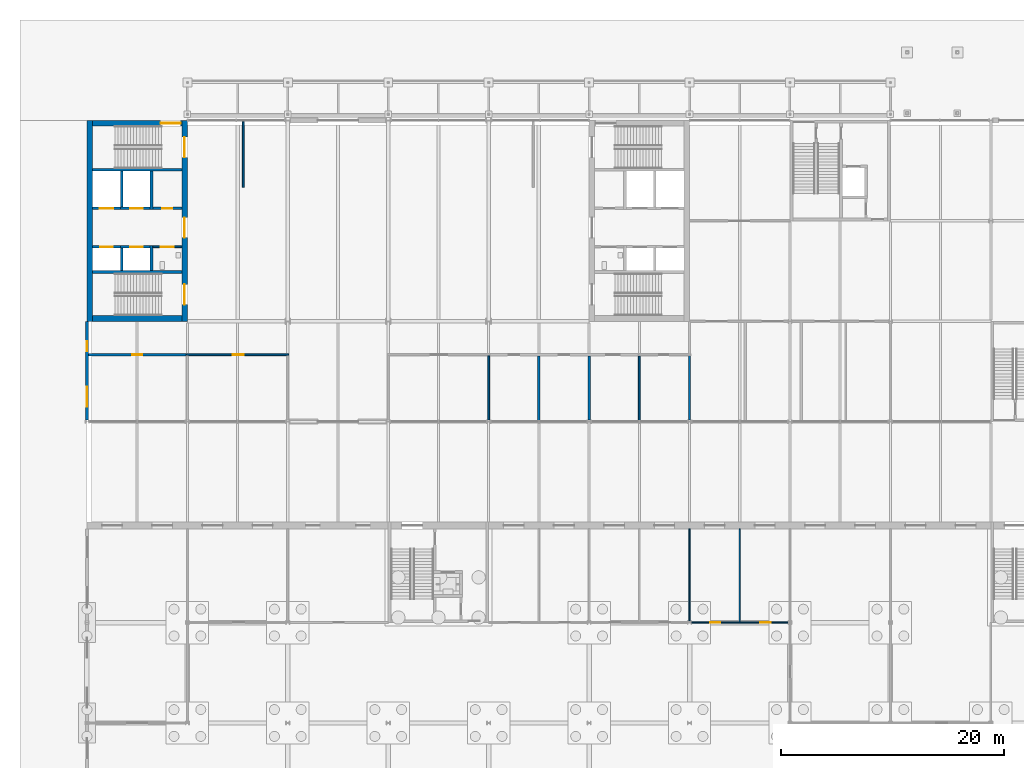
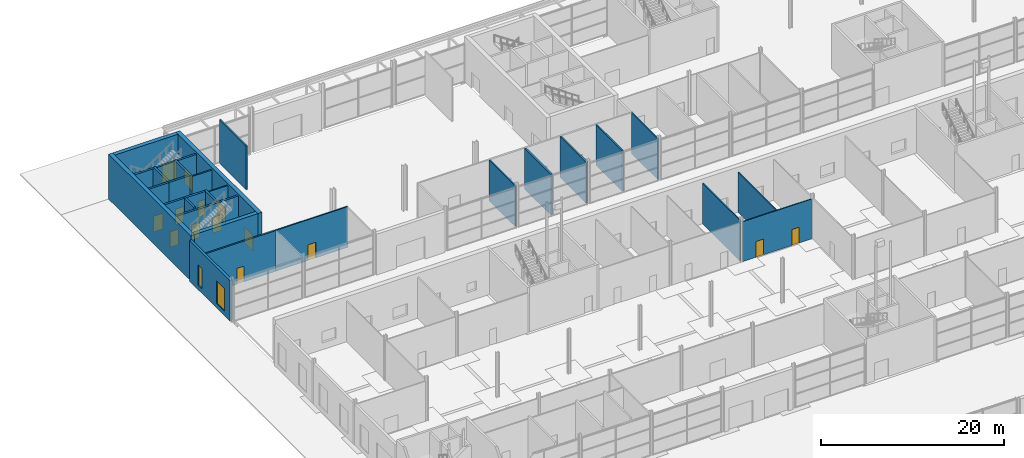
# One storey, part 67 of 97: 28 walls, 14 doors, 2 windows, 16 openings.
"""IFC4 building model written with IfcOpenShell, lengths in metres."""

import ifcopenshell
import ifcopenshell.guid

model = None  # the IFC model being written
_history = None  # IfcOwnerHistory: only IFC2X3 demands one
_inside = {}  # id of a spatial element -> (the spatial element, [elements in it])
_under = {}  # id of a project, library or spatial element -> (it, [spatial elements below it])
_declared = {}  # id of a project -> (the project, [libraries it declares])
_typed = {}  # id of a type object -> (the type object, [elements of that type])
_made_of = {}  # id of a material, layer set ... -> (it, [elements and type objects made of it])


def new_model(schema):
    """Start an empty IFC model of exactly this schema.

    Asked for "IFC4X3", IfcOpenShell would pick the latest addendum, in which some entities
    have other attributes; the version numbers below select the first issue.
    IFC2X3 requires an IfcOwnerHistory on every rooted entity: one is made here for all.
    """
    global model, _history
    if schema == "IFC4X3":
        model = ifcopenshell.file(schema_version=(4, 3, 0, 0))
    else:
        model = ifcopenshell.file(schema=schema)
    _inside.clear()
    _under.clear()
    _declared.clear()
    _typed.clear()
    _made_of.clear()
    _history = None
    if model.schema == "IFC2X3":
        org = make("IfcOrganization", Name="unknown")
        user = make(
            "IfcPersonAndOrganization",
            ThePerson=make("IfcPerson", FamilyName="unknown"),
            TheOrganization=org,
        )
        app = make(
            "IfcApplication",
            ApplicationDeveloper=org,
            Version="unknown",
            ApplicationFullName="unknown",
            ApplicationIdentifier="unknown",
        )
        _history = make(
            "IfcOwnerHistory",
            OwningUser=user,
            OwningApplication=app,
            ChangeAction="ADDED",
            CreationDate=0,
        )
    return model


def make(cls, **values):
    """One entity of the class cls with the attributes given. An attribute that is None is left unset."""
    return model.create_entity(
        cls, **{name: value for name, value in values.items() if value is not None}
    )


def rooted(cls, **values):
    """An entity with a GlobalId (a new one), such as an element, a storey or a relation."""
    return make(cls, GlobalId=ifcopenshell.guid.new(), OwnerHistory=_history, **values)


def si_unit(unit_type, name, prefix=None):
    """IfcSIUnit, for example si_unit("LENGTHUNIT", "METRE", prefix="MILLI")."""
    return make("IfcSIUnit", UnitType=unit_type, Prefix=prefix, Name=name)


def assignment(units):
    """IfcUnitAssignment: the units of a project."""
    return None if units is None else make("IfcUnitAssignment", Units=units)


def point(xyz):
    """IfcCartesianPoint."""
    return None if xyz is None else make("IfcCartesianPoint", Coordinates=xyz)


def direction(xyz):
    """IfcDirection."""
    return None if xyz is None else make("IfcDirection", DirectionRatios=xyz)


def frame(location, z_axis=None, x_axis=None):
    """IfcAxis2Placement3D, a coordinate frame: its origin and axes. An axis left out is left unset."""
    return make(
        "IfcAxis2Placement3D",
        Location=point(location),
        Axis=direction(z_axis),
        RefDirection=direction(x_axis),
    )


def frame_2d(location, x_axis=None):
    """IfcAxis2Placement2D, a coordinate frame in the plane: its origin and x axis."""
    return make(
        "IfcAxis2Placement2D", Location=point(location), RefDirection=direction(x_axis)
    )


def origin():
    """The frame at (0, 0, 0) with its axes left unset."""
    return frame((0.0, 0.0, 0.0))


def place(relative_to, where):
    """IfcLocalPlacement: puts the frame where relative to a parent placement (None: the world)."""
    return make(
        "IfcLocalPlacement", PlacementRelTo=relative_to, RelativePlacement=where
    )


def context(
    kind, dimensions, precision=None, world=None, true_north=None, identifier=None
):
    """IfcGeometricRepresentationContext, for example the 3D "Model" context."""
    return make(
        "IfcGeometricRepresentationContext",
        ContextIdentifier=identifier,
        ContextType=kind,
        CoordinateSpaceDimension=dimensions,
        Precision=precision,
        WorldCoordinateSystem=world,
        TrueNorth=true_north,
    )


def subcontext(parent, identifier, kind, view, scale=None):
    """IfcGeometricRepresentationSubContext, for example "Body" below "Model"."""
    return make(
        "IfcGeometricRepresentationSubContext",
        ContextIdentifier=identifier,
        ContextType=kind,
        ParentContext=parent,
        TargetScale=scale,
        TargetView=view,
    )


def project(units=None, contexts=None):
    """IfcProject with its units and contexts."""
    return rooted(
        "IfcProject",
        Name="project",
        RepresentationContexts=contexts,
        UnitsInContext=assignment(units),
    )


def spatial(cls, under=None, at=None, **own):
    """A site, building, storey or space (cls), placed at a placement, below another one or the project."""
    s = rooted(cls, ObjectPlacement=at, **own)
    if under is not None:
        _under.setdefault(under.id(), (under, []))[1].append(s)
    return s


def profile(cls, at=None, kind="AREA", **sizes):
    """A parametric profile (cls). Its sizes go by their IFC names, for example OverallWidth=200.0."""
    return make(cls, ProfileType=kind, Position=at, **sizes)


def rectangle(**sizes):
    """IfcRectangleProfileDef."""
    return profile("IfcRectangleProfileDef", **sizes)


def extrude(swept, where, along, depth):
    """IfcExtrudedAreaSolid: the profile swept, set in the frame where, extruded along a direction by depth."""
    return make(
        "IfcExtrudedAreaSolid",
        SweptArea=swept,
        Position=where,
        ExtrudedDirection=direction(along),
        Depth=depth,
    )


def shape(context_of_items, identifier, shape_type, items):
    """IfcShapeRepresentation: the items that make up one representation, for example the "Body"."""
    return make(
        "IfcShapeRepresentation",
        ContextOfItems=context_of_items,
        RepresentationIdentifier=identifier,
        RepresentationType=shape_type,
        Items=items,
    )


def material(Name=None, Category=None):
    """IfcMaterial."""
    return make("IfcMaterial", Name=Name, Category=Category)


def layer(
    of_material, thickness, ventilated=None, Name=None, Category=None, Priority=None
):
    """IfcMaterialLayer: one layer of a wall or slab, of a material (None: an air gap)."""
    return make(
        "IfcMaterialLayer",
        Material=of_material,
        LayerThickness=thickness,
        IsVentilated=ventilated,
        Name=Name,
        Category=Category,
        Priority=Priority,
    )


def layer_set(layers, Name=None):
    """IfcMaterialLayerSet."""
    return make("IfcMaterialLayerSet", MaterialLayers=layers, LayerSetName=Name)


def made_of(thing, what):
    """Note that an element or type object is made of a material, layer set ...; save() writes the relation."""
    if what is not None:
        _made_of.setdefault(what.id(), (what, []))[1].append(thing)
    return thing


def type_object(cls, material=None, **own):
    """A type object (cls), such as IfcWallType, which elements share."""
    return made_of(rooted(cls, **own), material)


def element(
    cls,
    number,
    at=None,
    inside=None,
    cuts=None,
    type_object=None,
    material=None,
    context=None,
    identifier="Body",
    shape_type=None,
    held_by="IfcProductDefinitionShape",
    body=None,
    shapes=None,
    **own,
):
    """One element of the class cls, such as IfcWall. Its Tag is "e" and its number.

    at: its placement. inside: the storey or other place that contains it. cuts: it is an
    opening in that element (IfcRelVoidsElement). A single representation is given by context,
    identifier, shape_type and body (its items); several are given by shapes. held_by: the class
    of the entity that holds the representations. save() writes the other relations.
    """
    e = rooted(cls, Tag="e%d" % number, ObjectPlacement=at, **own)
    if body is not None:
        shapes = [shape(context, identifier, shape_type, body)]
    if shapes is not None:
        e.Representation = make(held_by, Representations=shapes)
    if inside is not None:
        _inside.setdefault(inside.id(), (inside, []))[1].append(e)
    if cuts is not None:
        rooted(
            "IfcRelVoidsElement", RelatingBuildingElement=cuts, RelatedOpeningElement=e
        )
    if type_object is not None:
        _typed.setdefault(type_object.id(), (type_object, []))[1].append(e)
    return made_of(e, material)


def fill(opening, filler):
    """IfcRelFillsElement: the door or window that sits in an opening."""
    return rooted(
        "IfcRelFillsElement",
        RelatingOpeningElement=opening,
        RelatedBuildingElement=filler,
    )


def aggregate(whole, parts):
    """IfcRelAggregates: a whole, such as a stair, and the parts it consists of."""
    return rooted("IfcRelAggregates", RelatingObject=whole, RelatedObjects=parts)


def save(model, path):
    """Write the relations noted so far, then the file.

    IfcRelAggregates (storeys below a building ...), IfcRelContainedInSpatialStructure (elements
    in a storey), IfcRelDefinesByType, IfcRelAssociatesMaterial and IfcRelDeclares: one each for
    every whole, place, type object, material and project.
    """
    for whole, parts in _under.values():
        aggregate(whole, parts)
    for where, things in _inside.values():
        rooted(
            "IfcRelContainedInSpatialStructure",
            RelatedElements=things,
            RelatingStructure=where,
        )
    for kind, things in _typed.values():
        rooted("IfcRelDefinesByType", RelatedObjects=things, RelatingType=kind)
    for what, things in _made_of.values():
        rooted("IfcRelAssociatesMaterial", RelatedObjects=things, RelatingMaterial=what)
    for by, libraries in _declared.values():
        rooted("IfcRelDeclares", RelatingContext=by, RelatedDefinitions=libraries)
    model.write(path)


model = new_model("IFC4")

# Units and contexts
model_context = context("Model", 3, precision=1e-05, world=origin(), true_north=direction((0.0, 1.0)))
body_context = subcontext(model_context, "Body", "Model", "MODEL_VIEW")
ifc_project = project(units=[si_unit("LENGTHUNIT", "METRE"), si_unit("AREAUNIT", "SQUARE_METRE"), si_unit("VOLUMEUNIT", "CUBIC_METRE"), si_unit("PLANEANGLEUNIT", "RADIAN"), si_unit("MASSUNIT", "GRAM", prefix="KILO")], contexts=[model_context])

# Site, building, storey
site_placement = place(None, origin())
site = spatial("IfcSite", under=ifc_project, at=site_placement, CompositionType="ELEMENT")
building_placement = place(site_placement, origin())
building = spatial("IfcBuilding", under=site, at=building_placement, Name="Corbel Yard City Hall", CompositionType="ELEMENT")
storey_placement = place(building_placement, origin())
storey = spatial("IfcBuildingStorey", under=building, at=storey_placement, Name="L00", CompositionType="ELEMENT", Elevation=0.0)

# Wall, openings, windows
ifc_material_1 = material(Name="Sandstone cladding", Category="masonry")
ifc_layer_1 = layer(ifc_material_1, 0.0400390625)
ifc_material_2 = material(Name="Air cavity", Category="air")
ifc_layer_2 = layer(ifc_material_2, 0.0400390625)
ifc_material_3 = material(Name="Concrete block", Category="concrete")
ifc_layer_3 = layer(ifc_material_3, 0.18994140625)
ifc_material_4 = material(Name="Gypsum plasterboard", Category="gypsum")
ifc_layer_4 = layer(ifc_material_4, 0.030029296875)
ifc_layer_set_1 = layer_set([ifc_layer_1, ifc_layer_2, ifc_layer_3, ifc_layer_4], Name="Concrete block")
wall_type_1 = type_object("IfcWallType", Name="EW1", PredefinedType="SOLIDWALL", material=ifc_layer_set_1)
wall_1_placement = place(storey_placement, frame((0.0, 90.153564453125, 0.0), z_axis=(0.0, 0.0, 1.0), x_axis=(0.0, 1.0, 0.0)))
wall_1 = element("IfcWall", 1, at=wall_1_placement, inside=storey, type_object=wall_type_1, Name="External wall", PredefinedType="SOLIDWALL", context=body_context, shape_type="SweptSolid", body=[
    extrude(rectangle(XDim=8.846435546875, YDim=0.300048828125, at=frame_2d((4.42333984375, 0.0))), origin(), (0.0, 0.0, 1.0), 5.444091796875),
])
opening_1_placement = place(wall_1_placement, frame((1.196533203125, 0.0, 0.60009765625)))
opening_1 = element("IfcOpeningElement", 2, at=opening_1_placement, cuts=wall_1, Name="Opening WN2", PredefinedType="OPENING", context=body_context, shape_type="SweptSolid", body=[
    extrude(rectangle(XDim=1.800048828125, YDim=3.0, at=frame_2d((0.89990234375, 1.5))), frame((0.0, 0.159912109375, 0.0), z_axis=(0.0, -1.0, 0.0), x_axis=(1.0, 0.0, 0.0)), (0.0, 0.0, 1.0), 0.320068359375),
])
opening_2_placement = place(wall_1_placement, frame((6.146484375, 0.0, 0.60009765625)))
opening_2 = element("IfcOpeningElement", 3, at=opening_2_placement, cuts=wall_1, Name="Opening WN14", PredefinedType="OPENING", context=body_context, shape_type="SweptSolid", body=[
    extrude(rectangle(XDim=0.89990234375, YDim=2.699951171875, at=frame_2d((0.449951171875, 1.35009765625))), frame((0.0, 0.159912109375, 0.0), z_axis=(0.0, -1.0, 0.0), x_axis=(1.0, 0.0, 0.0)), (0.0, 0.0, 1.0), 0.320068359375),
])
ifc_material_5 = material(Name="Aluminium frame, double glazed low-e glass", Category="aluminium")
window_type_1 = type_object("IfcWindowType", Name="WN14", PartitioningType="SINGLE_PANEL", PredefinedType="WINDOW", material=ifc_material_5)
window_1_placement = place(opening_2_placement, origin())
window_1 = element("IfcWindow", 4, at=window_1_placement, inside=storey, type_object=window_type_1, Name="Window WN14 L00", OverallHeight=2.699951171875, OverallWidth=0.89990234375, PartitioningType="SINGLE_PANEL", PredefinedType="WINDOW", context=body_context, shape_type="SweptSolid", body=[
    extrude(rectangle(XDim=0.89990234375, YDim=2.699951171875, at=frame_2d((0.449951171875, 1.35009765625))), frame((0.0, 0.030029296875, 0.0), z_axis=(0.0, -1.0, 0.0), x_axis=(1.0, 0.0, 0.0)), (0.0, 0.0, 1.0), 0.06005859375),
])
fill(opening_2, window_1)
window_type_2 = type_object("IfcWindowType", Name="WN2", PartitioningType="SINGLE_PANEL", PredefinedType="WINDOW", material=ifc_material_5)
window_2_placement = place(opening_1_placement, origin())
window_2 = element("IfcWindow", 5, at=window_2_placement, inside=storey, type_object=window_type_2, Name="Window WN2 L00", OverallHeight=3.0, OverallWidth=1.800048828125, PartitioningType="SINGLE_PANEL", PredefinedType="WINDOW", context=body_context, shape_type="SweptSolid", body=[
    extrude(rectangle(XDim=1.800048828125, YDim=3.0, at=frame_2d((0.89990234375, 1.5))), frame((0.0, 0.030029296875, 0.0), z_axis=(0.0, -1.0, 0.0), x_axis=(1.0, 0.0, 0.0)), (0.0, 0.0, 1.0), 0.06005859375),
])
fill(opening_1, window_2)

# Walls
ifc_material_6 = material(Name="Concrete N40 (40 MPa)", Category="concrete")
ifc_layer_5 = layer(ifc_material_6, 0.25)
ifc_layer_set_2 = layer_set([ifc_layer_5], Name="Concrete N40 (40 MPa)")
wall_type_2 = type_object("IfcWallType", Name="IW2", PredefinedType="SOLIDWALL", material=ifc_layer_set_2)
for number, where, z_axis, x_axis, name in (
    (6, (8.5, 103.425048828125, 0.0), (0.0, 0.0, 1.0), (-1.0, 0.0, 0.0), "Stair enclosure wall"),
    (7, (8.5, 112.574951171875, 0.0), (0.0, 0.0, 1.0), (-1.0, 0.0, 0.0), "Stair enclosure wall"),
):
    element("IfcWall", number, at=place(storey_placement, frame(where, z_axis=z_axis, x_axis=x_axis)), inside=storey, type_object=wall_type_2, Name=name, PredefinedType="SOLIDWALL", context=body_context, shape_type="SweptSolid", body=[
        extrude(rectangle(XDim=8.0, YDim=0.25, at=frame_2d((4.0, 0.0))), origin(), (0.0, 0.0, 1.0), 5.75),
    ])
wall_2_placement = place(storey_placement, frame((5.77490234375, 103.550048828125, 0.0), z_axis=(0.0, 0.0, 1.0), x_axis=(0.0, 1.0, 0.0)))
element("IfcWall", 8, at=wall_2_placement, inside=storey, type_object=wall_type_2, Name="Lift LP22 shaft wall", PredefinedType="SOLIDWALL", context=body_context, shape_type="SweptSolid", body=[
    extrude(rectangle(XDim=2.25, YDim=0.25, at=frame_2d((1.125, 0.0))), origin(), (0.0, 0.0, 1.0), 6.0),
])
wall_3_placement = place(storey_placement, frame((3.125, 103.550048828125, 0.0), z_axis=(0.0, 0.0, 1.0), x_axis=(0.0, 1.0, 0.0)))
element("IfcWall", 9, at=wall_3_placement, inside=storey, type_object=wall_type_2, Name="Lift LP22 shaft wall", PredefinedType="SOLIDWALL", context=body_context, shape_type="SweptSolid", body=[
    extrude(rectangle(XDim=2.0, YDim=0.25, at=frame_2d((1.0, 0.0))), origin(), (0.0, 0.0, 1.0), 6.0),
])

# Wall, opening, door
wall_4_placement = place(storey_placement, frame((5.64990234375, 105.675048828125, 0.0), z_axis=(0.0, 0.0, 1.0), x_axis=(-1.0, 0.0, 0.0)))
wall_4 = element("IfcWall", 10, at=wall_4_placement, inside=storey, type_object=wall_type_2, Name="Lift LP22 shaft wall", PredefinedType="SOLIDWALL", context=body_context, shape_type="SweptSolid", body=[
    extrude(rectangle(XDim=2.64990234375, YDim=0.25, at=frame_2d((1.324951171875, 0.0))), origin(), (0.0, 0.0, 1.0), 6.0),
])
opening_3_placement = place(wall_4_placement, frame((0.64990234375, 0.0, 0.0)))
opening_3 = element("IfcOpeningElement", 11, at=opening_3_placement, cuts=wall_4, Name="Opening L00-239", PredefinedType="OPENING", context=body_context, shape_type="SweptSolid", body=[
    extrude(rectangle(XDim=1.10009765625, YDim=2.10009765625, at=frame_2d((0.550048828125, 1.050048828125))), frame((0.0, 0.135009765625, 0.0), z_axis=(0.0, -1.0, 0.0), x_axis=(1.0, 0.0, 0.0)), (0.0, 0.0, 1.0), 0.27001953125),
])
ifc_material_7 = material(Name="Stainless steel Grade 316", Category="steel")
door_type_1 = type_object("IfcDoorType", Name="LD1", OperationType="DOUBLE_DOOR_SLIDING", PredefinedType="DOOR", material=ifc_material_7)
door_1_placement = place(opening_3_placement, origin())
door_1 = element("IfcDoor", 12, at=door_1_placement, inside=storey, type_object=door_type_1, Name="Lift LP22 landing door", OperationType="DOUBLE_DOOR_SLIDING", OverallHeight=2.10009765625, OverallWidth=1.10009765625, PredefinedType="DOOR", context=body_context, shape_type="SweptSolid", body=[
    extrude(rectangle(XDim=1.10009765625, YDim=2.10009765625, at=frame_2d((0.550048828125, 1.050048828125))), frame((0.0, 0.02490234375, 0.0), z_axis=(0.0, -1.0, 0.0), x_axis=(1.0, 0.0, 0.0)), (0.0, 0.0, 1.0), 0.050048828125),
])
fill(opening_3, door_1)

wall_5_placement = place(storey_placement, frame((3.0, 105.675048828125, 0.0), z_axis=(0.0, 0.0, 1.0), x_axis=(-1.0, 0.0, 0.0)))
wall_5 = element("IfcWall", 13, at=wall_5_placement, inside=storey, type_object=wall_type_2, Name="Lift LP23 shaft wall", PredefinedType="SOLIDWALL", context=body_context, shape_type="SweptSolid", body=[
    extrude(rectangle(XDim=2.5, YDim=0.25, at=frame_2d((1.25, 0.0))), origin(), (0.0, 0.0, 1.0), 6.0),
])
opening_4_placement = place(wall_5_placement, frame((0.699951171875, 0.0, 0.0)))
opening_4 = element("IfcOpeningElement", 14, at=opening_4_placement, cuts=wall_5, Name="Opening L00-240", PredefinedType="OPENING", context=body_context, shape_type="SweptSolid", body=[
    extrude(rectangle(XDim=1.10009765625, YDim=2.10009765625, at=frame_2d((0.550048828125, 1.050048828125))), frame((0.0, 0.135009765625, 0.0), z_axis=(0.0, -1.0, 0.0), x_axis=(1.0, 0.0, 0.0)), (0.0, 0.0, 1.0), 0.27001953125),
])
door_2_placement = place(opening_4_placement, origin())
door_2 = element("IfcDoor", 15, at=door_2_placement, inside=storey, type_object=door_type_1, Name="Lift LP23 landing door", OperationType="DOUBLE_DOOR_SLIDING", OverallHeight=2.10009765625, OverallWidth=1.10009765625, PredefinedType="DOOR", context=body_context, shape_type="SweptSolid", body=[
    extrude(rectangle(XDim=1.10009765625, YDim=2.10009765625, at=frame_2d((0.550048828125, 1.050048828125))), frame((0.0, 0.02490234375, 0.0), z_axis=(0.0, -1.0, 0.0), x_axis=(1.0, 0.0, 0.0)), (0.0, 0.0, 1.0), 0.050048828125),
])
fill(opening_4, door_2)

# Walls
wall_6_placement = place(storey_placement, frame((5.77490234375, 109.0, 0.0), z_axis=(0.0, 0.0, 1.0), x_axis=(0.0, 1.0, 0.0)))
element("IfcWall", 16, at=wall_6_placement, inside=storey, type_object=wall_type_2, Name="Lift LP24 shaft wall", PredefinedType="SOLIDWALL", context=body_context, shape_type="SweptSolid", body=[
    extrude(rectangle(XDim=3.449951171875, YDim=0.25, at=frame_2d((1.72509765625, 0.0))), origin(), (0.0, 0.0, 1.0), 6.0),
])
wall_7_placement = place(storey_placement, frame((3.125, 109.25, 0.0), z_axis=(0.0, 0.0, 1.0), x_axis=(0.0, 1.0, 0.0)))
element("IfcWall", 17, at=wall_7_placement, inside=storey, type_object=wall_type_2, Name="Lift LP24 shaft wall", PredefinedType="SOLIDWALL", context=body_context, shape_type="SweptSolid", body=[
    extrude(rectangle(XDim=3.199951171875, YDim=0.25, at=frame_2d((1.60009765625, 0.0))), origin(), (0.0, 0.0, 1.0), 6.0),
])

# Wall, opening, door
wall_8_placement = place(storey_placement, frame((5.64990234375, 109.125, 0.0), z_axis=(0.0, 0.0, 1.0), x_axis=(-1.0, 0.0, 0.0)))
wall_8 = element("IfcWall", 18, at=wall_8_placement, inside=storey, type_object=wall_type_2, Name="Lift LP24 shaft wall", PredefinedType="SOLIDWALL", context=body_context, shape_type="SweptSolid", body=[
    extrude(rectangle(XDim=2.64990234375, YDim=0.25, at=frame_2d((1.324951171875, 0.0))), origin(), (0.0, 0.0, 1.0), 6.0),
])
opening_5_placement = place(wall_8_placement, frame((0.64990234375, 0.0, 0.0)))
opening_5 = element("IfcOpeningElement", 19, at=opening_5_placement, cuts=wall_8, Name="Opening L00-241", PredefinedType="OPENING", context=body_context, shape_type="SweptSolid", body=[
    extrude(rectangle(XDim=1.10009765625, YDim=2.10009765625, at=frame_2d((0.550048828125, 1.050048828125))), frame((0.0, 0.135009765625, 0.0), z_axis=(0.0, -1.0, 0.0), x_axis=(1.0, 0.0, 0.0)), (0.0, 0.0, 1.0), 0.27001953125),
])
door_3_placement = place(opening_5_placement, origin())
door_3 = element("IfcDoor", 20, at=door_3_placement, inside=storey, type_object=door_type_1, Name="Lift LP24 landing door", OperationType="DOUBLE_DOOR_SLIDING", OverallHeight=2.10009765625, OverallWidth=1.10009765625, PredefinedType="DOOR", context=body_context, shape_type="SweptSolid", body=[
    extrude(rectangle(XDim=1.10009765625, YDim=2.10009765625, at=frame_2d((0.550048828125, 1.050048828125))), frame((0.0, 0.02490234375, 0.0), z_axis=(0.0, -1.0, 0.0), x_axis=(1.0, 0.0, 0.0)), (0.0, 0.0, 1.0), 0.050048828125),
])
fill(opening_5, door_3)

wall_9_placement = place(storey_placement, frame((3.0, 109.125, 0.0), z_axis=(0.0, 0.0, 1.0), x_axis=(-1.0, 0.0, 0.0)))
wall_9 = element("IfcWall", 21, at=wall_9_placement, inside=storey, type_object=wall_type_2, Name="Lift LF1 shaft wall", PredefinedType="SOLIDWALL", context=body_context, shape_type="SweptSolid", body=[
    extrude(rectangle(XDim=2.5, YDim=0.25, at=frame_2d((1.25, 0.0))), origin(), (0.0, 0.0, 1.0), 6.0),
])
opening_6_placement = place(wall_9_placement, frame((0.64990234375, 0.0, 0.0)))
opening_6 = element("IfcOpeningElement", 22, at=opening_6_placement, cuts=wall_9, Name="Opening L00-242", PredefinedType="OPENING", context=body_context, shape_type="SweptSolid", body=[
    extrude(rectangle(XDim=1.199951171875, YDim=2.10009765625, at=frame_2d((0.60009765625, 1.050048828125))), frame((0.0, 0.135009765625, 0.0), z_axis=(0.0, -1.0, 0.0), x_axis=(1.0, 0.0, 0.0)), (0.0, 0.0, 1.0), 0.27001953125),
])
door_type_2 = type_object("IfcDoorType", Name="LD2", OperationType="DOUBLE_DOOR_SLIDING", PredefinedType="DOOR", material=ifc_material_7)
door_4_placement = place(opening_6_placement, origin())
door_4 = element("IfcDoor", 23, at=door_4_placement, inside=storey, type_object=door_type_2, Name="Lift LF1 landing door", OperationType="DOUBLE_DOOR_SLIDING", OverallHeight=2.10009765625, OverallWidth=1.199951171875, PredefinedType="DOOR", context=body_context, shape_type="SweptSolid", body=[
    extrude(rectangle(XDim=1.199951171875, YDim=2.10009765625, at=frame_2d((0.60009765625, 1.050048828125))), frame((0.0, 0.02490234375, 0.0), z_axis=(0.0, -1.0, 0.0), x_axis=(1.0, 0.0, 0.0)), (0.0, 0.0, 1.0), 0.050048828125),
])
fill(opening_6, door_4)

# Wall, openings, doors
ifc_layer_6 = layer(ifc_material_4, 0.028076171875)
ifc_material_8 = material(Name="Steel Grade G550 (550 MPa yield)", Category="steel")
ifc_layer_7 = layer(ifc_material_8, 0.06396484375)
ifc_layer_8 = layer(ifc_material_4, 0.028076171875)
ifc_layer_set_3 = layer_set([ifc_layer_6, ifc_layer_7, ifc_layer_8], Name="Steel Grade G550 (550 MPa yield)")
wall_type_3 = type_object("IfcWallType", Name="PT1", PredefinedType="PARTITIONING", material=ifc_layer_set_3)
wall_10_placement = place(storey_placement, frame((54.16357421875, 72.0, 0.0), z_axis=(0.0, 0.0, 1.0), x_axis=(1.0, 0.0, 0.0)))
wall_10 = element("IfcWall", 24, at=wall_10_placement, inside=storey, type_object=wall_type_3, Name="Partition", PredefinedType="PARTITIONING", context=body_context, shape_type="SweptSolid", body=[
    extrude(rectangle(XDim=8.6728515625, YDim=0.1201171875, at=frame_2d((4.33642578125, 0.0))), origin(), (0.0, 0.0, 1.0), 5.322021484375),
])
opening_7_placement = place(wall_10_placement, frame((1.6865234375, 0.0, 0.0)))
opening_7 = element("IfcOpeningElement", 25, at=opening_7_placement, cuts=wall_10, Name="Opening L00-134", PredefinedType="OPENING", context=body_context, shape_type="SweptSolid", body=[
    extrude(rectangle(XDim=0.919921875, YDim=2.10009765625, at=frame_2d((0.4599609375, 1.050048828125))), frame((0.0, 0.070068359375, 0.0), z_axis=(0.0, -1.0, 0.0), x_axis=(1.0, 0.0, 0.0)), (0.0, 0.0, 1.0), 0.14013671875),
])
opening_8_placement = place(wall_10_placement, frame((6.1865234375, 0.0, 0.0)))
opening_8 = element("IfcOpeningElement", 26, at=opening_8_placement, cuts=wall_10, Name="Opening L00-135", PredefinedType="OPENING", context=body_context, shape_type="SweptSolid", body=[
    extrude(rectangle(XDim=0.919921875, YDim=2.10009765625, at=frame_2d((0.4599609375, 1.050048828125))), frame((0.0, 0.070068359375, 0.0), z_axis=(0.0, -1.0, 0.0), x_axis=(1.0, 0.0, 0.0)), (0.0, 0.0, 1.0), 0.14013671875),
])
ifc_material_9 = material(Name="Timber", Category="wood")
door_type_3 = type_object("IfcDoorType", Name="D4", OperationType="SINGLE_SWING_LEFT", PredefinedType="DOOR", material=ifc_material_9)
door_5_placement = place(opening_7_placement, origin())
door_5 = element("IfcDoor", 27, at=door_5_placement, inside=storey, type_object=door_type_3, Name="Door Consultation Room 5", OperationType="SINGLE_SWING_RIGHT", OverallHeight=2.10009765625, OverallWidth=0.919921875, PredefinedType="DOOR", context=body_context, shape_type="SweptSolid", body=[
    extrude(rectangle(XDim=0.919921875, YDim=2.10009765625, at=frame_2d((0.4599609375, 1.050048828125))), frame((0.0, 0.02490234375, 0.0), z_axis=(0.0, -1.0, 0.0), x_axis=(1.0, 0.0, 0.0)), (0.0, 0.0, 1.0), 0.050048828125),
])
fill(opening_7, door_5)
door_6_placement = place(opening_8_placement, origin())
door_6 = element("IfcDoor", 28, at=door_6_placement, inside=storey, type_object=door_type_3, Name="Door Consultation Room 6", OperationType="SINGLE_SWING_RIGHT", OverallHeight=2.10009765625, OverallWidth=0.919921875, PredefinedType="DOOR", context=body_context, shape_type="SweptSolid", body=[
    extrude(rectangle(XDim=0.919921875, YDim=2.10009765625, at=frame_2d((0.4599609375, 1.050048828125))), frame((0.0, 0.02490234375, 0.0), z_axis=(0.0, -1.0, 0.0), x_axis=(1.0, 0.0, 0.0)), (0.0, 0.0, 1.0), 0.050048828125),
])
fill(opening_8, door_6)

# Walls
wall_11_placement = place(storey_placement, frame((54.0, 72.16357421875, 0.0), z_axis=(0.0, 0.0, 1.0), x_axis=(0.0, 1.0, 0.0)))
element("IfcWall", 29, at=wall_11_placement, inside=storey, type_object=wall_type_3, Name="Partition", PredefinedType="PARTITIONING", context=body_context, shape_type="SweptSolid", body=[
    extrude(rectangle(XDim=8.236328125, YDim=0.1201171875, at=frame_2d((4.1181640625, 0.0))), origin(), (0.0, 0.0, 1.0), 5.447021484375),
])
wall_12_placement = place(storey_placement, frame((58.5, 72.06005859375, 0.0), z_axis=(0.0, 0.0, 1.0), x_axis=(0.0, 1.0, 0.0)))
element("IfcWall", 30, at=wall_12_placement, inside=storey, type_object=wall_type_3, Name="Partition", PredefinedType="PARTITIONING", context=body_context, shape_type="SweptSolid", body=[
    extrude(rectangle(XDim=8.33984375, YDim=0.1201171875, at=frame_2d((4.169921875, 0.0))), origin(), (0.0, 0.0, 1.0), 5.322021484375),
])

# Wall, opening, door
ifc_layer_9 = layer(ifc_material_4, 0.031982421875)
ifc_layer_10 = layer(ifc_material_8, 0.135986328125)
ifc_layer_11 = layer(ifc_material_4, 0.031982421875)
ifc_layer_set_4 = layer_set([ifc_layer_9, ifc_layer_10, ifc_layer_11], Name="Steel Grade G550 (550 MPa yield)")
wall_type_4 = type_object("IfcWallType", Name="PT2", PredefinedType="PARTITIONING", material=ifc_layer_set_4)
wall_13_placement = place(storey_placement, frame((0.14990234375, 96.0, 0.0), z_axis=(0.0, 0.0, 1.0), x_axis=(1.0, 0.0, 0.0)))
wall_13 = element("IfcWall", 31, at=wall_13_placement, inside=storey, type_object=wall_type_4, Name="Acoustic wall", PredefinedType="PARTITIONING", context=body_context, shape_type="SweptSolid", body=[
    extrude(rectangle(XDim=8.77001953125, YDim=0.199951171875, at=frame_2d((4.385009765625, 0.0))), origin(), (0.0, 0.0, 1.0), 5.447021484375),
])
opening_9_placement = place(wall_13_placement, frame((3.89990234375, 0.0, 0.0)))
opening_9 = element("IfcOpeningElement", 32, at=opening_9_placement, cuts=wall_13, Name="Opening L00-217", PredefinedType="OPENING", context=body_context, shape_type="SweptSolid", body=[
    extrude(rectangle(XDim=0.919921875, YDim=2.10009765625, at=frame_2d((0.4599609375, 1.050048828125))), frame((0.0, 0.10986328125, 0.0), z_axis=(0.0, -1.0, 0.0), x_axis=(1.0, 0.0, 0.0)), (0.0, 0.0, 1.0), 0.219970703125),
])
door_type_4 = type_object("IfcDoorType", Name="D5", OperationType="SINGLE_SWING_RIGHT", PredefinedType="DOOR", material=ifc_material_9)
door_7_placement = place(opening_9_placement, frame((0.919921875, 0.0, 0.0), z_axis=(0.0, 0.0, 1.0), x_axis=(-1.0, 0.0, 0.0)))
door_7 = element("IfcDoor", 33, at=door_7_placement, inside=storey, type_object=door_type_4, Name="Door Mail and Parcels Room", OperationType="SINGLE_SWING_RIGHT", OverallHeight=2.10009765625, OverallWidth=0.919921875, PredefinedType="DOOR", context=body_context, shape_type="SweptSolid", body=[
    extrude(rectangle(XDim=0.919921875, YDim=2.10009765625, at=frame_2d((0.4599609375, 1.050048828125))), frame((0.0, 0.02490234375, 0.0), z_axis=(0.0, -1.0, 0.0), x_axis=(1.0, 0.0, 0.0)), (0.0, 0.0, 1.0), 0.050048828125),
])
fill(opening_9, door_7)

ifc_layer_12 = layer(ifc_material_4, 0.031982421875)
ifc_layer_13 = layer(ifc_material_8, 0.095947265625)
ifc_layer_14 = layer(ifc_material_4, 0.031982421875)
ifc_layer_set_5 = layer_set([ifc_layer_12, ifc_layer_13, ifc_layer_14], Name="Steel Grade G550 (550 MPa yield)")
wall_type_5 = type_object("IfcWallType", Name="PT3", PredefinedType="PARTITIONING", material=ifc_layer_set_5)
wall_14_placement = place(storey_placement, frame((8.919921875, 96.0, 0.0), z_axis=(0.0, 0.0, 1.0), x_axis=(1.0, 0.0, 0.0)))
wall_14 = element("IfcWall", 34, at=wall_14_placement, inside=storey, type_object=wall_type_5, Name="Fire-resisting wall", PredefinedType="PARTITIONING", context=body_context, shape_type="SweptSolid", body=[
    extrude(rectangle(XDim=9.16015625, YDim=0.159912109375, at=frame_2d((4.580078125, 0.0))), origin(), (0.0, 0.0, 1.0), 5.447021484375),
])
opening_10_placement = place(wall_14_placement, frame((4.1298828125, 0.0, 0.0)))
opening_10 = element("IfcOpeningElement", 35, at=opening_10_placement, cuts=wall_14, Name="Opening L00-218", PredefinedType="OPENING", context=body_context, shape_type="SweptSolid", body=[
    extrude(rectangle(XDim=1.0, YDim=2.10009765625, at=frame_2d((0.5, 1.050048828125))), frame((0.0, 0.08984375, 0.0), z_axis=(0.0, -1.0, 0.0), x_axis=(1.0, 0.0, 0.0)), (0.0, 0.0, 1.0), 0.179931640625),
])
ifc_material_10 = material(Name="Steel Grade G250", Category="steel")
door_type_5 = type_object("IfcDoorType", Name="FD1", OperationType="SINGLE_SWING_LEFT", PredefinedType="DOOR", material=ifc_material_10)
door_8_placement = place(opening_10_placement, frame((1.0, 0.0, 0.0), z_axis=(0.0, 0.0, 1.0), x_axis=(-1.0, 0.0, 0.0)))
door_8 = element("IfcDoor", 36, at=door_8_placement, inside=storey, type_object=door_type_5, Name="Door Security Control Room", OperationType="SINGLE_SWING_LEFT", OverallHeight=2.10009765625, OverallWidth=1.0, PredefinedType="DOOR", context=body_context, shape_type="SweptSolid", body=[
    extrude(rectangle(XDim=1.0, YDim=2.10009765625, at=frame_2d((0.5, 1.050048828125))), frame((0.0, 0.02490234375, 0.0), z_axis=(0.0, -1.0, 0.0), x_axis=(1.0, 0.0, 0.0)), (0.0, 0.0, 1.0), 0.050048828125),
])
fill(opening_10, door_8)

# Walls
wall_15_placement = place(storey_placement, frame((14.0, 111.0, 0.0), z_axis=(0.0, 0.0, 1.0), x_axis=(0.0, 1.0, 0.0)))
element("IfcWall", 37, at=wall_15_placement, inside=storey, type_object=wall_type_5, Name="Fire-resisting wall", PredefinedType="PARTITIONING", context=body_context, shape_type="SweptSolid", body=[
    extrude(rectangle(XDim=5.875, YDim=0.159912109375, at=frame_2d((2.9375, 0.0))), origin(), (0.0, 0.0, 1.0), 5.85009765625),
])
wall_16_placement = place(storey_placement, frame((36.0, 90.157470703125, 0.0), z_axis=(0.0, 0.0, 1.0), x_axis=(0.0, 1.0, 0.0)))
element("IfcWall", 38, at=wall_16_placement, inside=storey, type_object=wall_type_5, Name="Fire-resisting wall", PredefinedType="PARTITIONING", context=body_context, shape_type="SweptSolid", body=[
    extrude(rectangle(XDim=5.742431640625, YDim=0.159912109375, at=frame_2d((2.87109375, 0.0))), origin(), (0.0, 0.0, 1.0), 5.447021484375),
])
wall_17_placement = place(storey_placement, frame((49.5, 90.125, 0.0), z_axis=(0.0, 0.0, 1.0), x_axis=(0.0, 1.0, 0.0)))
element("IfcWall", 39, at=wall_17_placement, inside=storey, type_object=wall_type_5, Name="Fire-resisting wall", PredefinedType="PARTITIONING", context=body_context, shape_type="SweptSolid", body=[
    extrude(rectangle(XDim=5.77490234375, YDim=0.159912109375, at=frame_2d((2.887451171875, 0.0))), origin(), (0.0, 0.0, 1.0), 5.447021484375),
])
wall_18_placement = place(storey_placement, frame((54.0, 90.157470703125, 0.0), z_axis=(0.0, 0.0, 1.0), x_axis=(0.0, 1.0, 0.0)))
element("IfcWall", 40, at=wall_18_placement, inside=storey, type_object=wall_type_5, Name="Fire-resisting wall", PredefinedType="PARTITIONING", context=body_context, shape_type="SweptSolid", body=[
    extrude(rectangle(XDim=5.762451171875, YDim=0.159912109375, at=frame_2d((2.88134765625, 0.0))), origin(), (0.0, 0.0, 1.0), 5.447021484375),
])

# Wall, opening, door
wall_19_placement = place(storey_placement, frame((8.5, 105.675048828125, 0.0), z_axis=(0.0, 0.0, 1.0), x_axis=(-1.0, 0.0, 0.0)))
wall_19 = element("IfcWall", 41, at=wall_19_placement, inside=storey, type_object=wall_type_5, Name="Accessible WC wall", PredefinedType="PARTITIONING", context=body_context, shape_type="SweptSolid", body=[
    extrude(rectangle(XDim=2.60009765625, YDim=0.159912109375, at=frame_2d((1.300048828125, 0.0))), origin(), (0.0, 0.0, 1.0), 5.75),
])
opening_11_placement = place(wall_19_placement, frame((0.699951171875, 0.0, 0.0)))
opening_11 = element("IfcOpeningElement", 42, at=opening_11_placement, cuts=wall_19, Name="Opening L00-250", PredefinedType="OPENING", context=body_context, shape_type="SweptSolid", body=[
    extrude(rectangle(XDim=1.199951171875, YDim=2.10009765625, at=frame_2d((0.60009765625, 1.050048828125))), frame((0.0, 0.08984375, 0.0), z_axis=(0.0, -1.0, 0.0), x_axis=(1.0, 0.0, 0.0)), (0.0, 0.0, 1.0), 0.179931640625),
])
door_type_6 = type_object("IfcDoorType", Name="FD7", OperationType="SINGLE_SWING_LEFT", PredefinedType="DOOR", material=ifc_material_10)
door_9_placement = place(opening_11_placement, origin())
door_9 = element("IfcDoor", 43, at=door_9_placement, inside=storey, type_object=door_type_6, Name="Door accessible WC West", OperationType="SINGLE_SWING_LEFT", OverallHeight=2.10009765625, OverallWidth=1.199951171875, PredefinedType="DOOR", context=body_context, shape_type="SweptSolid", body=[
    extrude(rectangle(XDim=1.199951171875, YDim=2.10009765625, at=frame_2d((0.60009765625, 1.050048828125))), frame((0.0, 0.02490234375, 0.0), z_axis=(0.0, -1.0, 0.0), x_axis=(1.0, 0.0, 0.0)), (0.0, 0.0, 1.0), 0.050048828125),
])
fill(opening_11, door_9)

ifc_material_11 = material(Name="Concrete block", Category="concrete")
ifc_layer_15 = layer(ifc_material_11, 0.18994140625)
ifc_layer_set_6 = layer_set([ifc_layer_15], Name="Concrete block")
wall_type_6 = type_object("IfcWallType", Name="PT4", PredefinedType="PARTITIONING", material=ifc_layer_set_6)
wall_20_placement = place(storey_placement, frame((8.5, 109.125, 0.0), z_axis=(0.0, 0.0, 1.0), x_axis=(-1.0, 0.0, 0.0)))
wall_20 = element("IfcWall", 44, at=wall_20_placement, inside=storey, type_object=wall_type_6, Name="Riser wall", PredefinedType="PARTITIONING", context=body_context, shape_type="SweptSolid", body=[
    extrude(rectangle(XDim=2.60009765625, YDim=0.18994140625, at=frame_2d((1.300048828125, 0.0))), origin(), (0.0, 0.0, 1.0), 5.75),
])
opening_12_placement = place(wall_20_placement, frame((0.840087890625, 0.0, 0.0)))
opening_12 = element("IfcOpeningElement", 45, at=opening_12_placement, cuts=wall_20, Name="Opening L00-251", PredefinedType="OPENING", context=body_context, shape_type="SweptSolid", body=[
    extrude(rectangle(XDim=0.919921875, YDim=2.10009765625, at=frame_2d((0.4599609375, 1.050048828125))), frame((0.0, 0.10498046875, 0.0), z_axis=(0.0, -1.0, 0.0), x_axis=(1.0, 0.0, 0.0)), (0.0, 0.0, 1.0), 0.2099609375),
])
door_type_7 = type_object("IfcDoorType", Name="FS4", OperationType="SINGLE_SWING_LEFT", PredefinedType="DOOR", material=ifc_material_10)
door_10_placement = place(opening_12_placement, frame((0.919921875, 0.0, 0.0), z_axis=(0.0, 0.0, 1.0), x_axis=(-1.0, 0.0, 0.0)))
door_10 = element("IfcDoor", 46, at=door_10_placement, inside=storey, type_object=door_type_7, Name="Door riser West", OperationType="SINGLE_SWING_RIGHT", OverallHeight=2.10009765625, OverallWidth=0.919921875, PredefinedType="DOOR", context=body_context, shape_type="SweptSolid", body=[
    extrude(rectangle(XDim=0.919921875, YDim=2.10009765625, at=frame_2d((0.4599609375, 1.050048828125))), frame((0.0, 0.02490234375, 0.0), z_axis=(0.0, -1.0, 0.0), x_axis=(1.0, 0.0, 0.0)), (0.0, 0.0, 1.0), 0.050048828125),
])
fill(opening_12, door_10)

# Walls
ifc_layer_16 = layer(ifc_material_4, 0.031982421875)
ifc_layer_17 = layer(ifc_material_8, 0.156005859375)
ifc_layer_18 = layer(ifc_material_4, 0.031982421875)
ifc_layer_set_7 = layer_set([ifc_layer_16, ifc_layer_17, ifc_layer_18], Name="Steel Grade G550 (550 MPa yield)")
wall_type_7 = type_object("IfcWallType", Name="PT5", PredefinedType="PLUMBINGWALL", material=ifc_layer_set_7)
wall_21_placement = place(storey_placement, frame((40.5, 90.125, 0.0), z_axis=(0.0, 0.0, 1.0), x_axis=(0.0, 1.0, 0.0)))
element("IfcWall", 47, at=wall_21_placement, inside=storey, type_object=wall_type_7, Name="Wet wall", PredefinedType="PLUMBINGWALL", context=body_context, shape_type="SweptSolid", body=[
    extrude(rectangle(XDim=5.77490234375, YDim=0.219970703125, at=frame_2d((2.887451171875, 0.0))), origin(), (0.0, 0.0, 1.0), 5.447021484375),
])
wall_22_placement = place(storey_placement, frame((45.0, 90.157470703125, 0.0), z_axis=(0.0, 0.0, 1.0), x_axis=(0.0, 1.0, 0.0)))
element("IfcWall", 48, at=wall_22_placement, inside=storey, type_object=wall_type_7, Name="Wet wall", PredefinedType="PLUMBINGWALL", context=body_context, shape_type="SweptSolid", body=[
    extrude(rectangle(XDim=5.742431640625, YDim=0.219970703125, at=frame_2d((2.87109375, 0.0))), origin(), (0.0, 0.0, 1.0), 5.447021484375),
])
ifc_material_12 = material(Name="Concrete N50 (50 MPa)", Category="concrete")
ifc_layer_19 = layer(ifc_material_12, 0.5)
ifc_layer_set_8 = layer_set([ifc_layer_19], Name="Concrete N50 (50 MPa)")
wall_type_8 = type_object("IfcWallType", Name="Trunk wall 500", PredefinedType="SHEAR", material=ifc_layer_set_8)
wall_23_placement = place(storey_placement, frame((0.25, 99.0, 0.0), z_axis=(0.0, 0.0, 1.0), x_axis=(0.0, 1.0, 0.0)))
element("IfcWall", 49, at=wall_23_placement, inside=storey, type_object=wall_type_8, Name="Trunk W west wall", PredefinedType="SHEAR", context=body_context, shape_type="SweptSolid", body=[
    extrude(rectangle(XDim=18.0, YDim=0.5, at=frame_2d((9.0, 0.0))), origin(), (0.0, 0.0, 1.0), 6.0),
])

# Wall, openings, doors
wall_24_placement = place(storey_placement, frame((8.75, 99.0, 0.0), z_axis=(0.0, 0.0, 1.0), x_axis=(0.0, 1.0, 0.0)))
wall_24 = element("IfcWall", 50, at=wall_24_placement, inside=storey, type_object=wall_type_8, Name="Trunk W east wall", PredefinedType="SHEAR", context=body_context, shape_type="SweptSolid", body=[
    extrude(rectangle(XDim=18.0, YDim=0.5, at=frame_2d((9.0, 0.0))), origin(), (0.0, 0.0, 1.0), 6.0),
])
opening_13_placement = place(wall_24_placement, frame((1.5, 0.0, 0.0)))
opening_13 = element("IfcOpeningElement", 51, at=opening_13_placement, cuts=wall_24, Name="Opening L00-247", PredefinedType="OPENING", context=body_context, shape_type="SweptSolid", body=[
    extrude(rectangle(XDim=1.800048828125, YDim=2.10009765625, at=frame_2d((0.89990234375, 1.050048828125))), frame((0.0, 0.260009765625, 0.0), z_axis=(0.0, -1.0, 0.0), x_axis=(1.0, 0.0, 0.0)), (0.0, 0.0, 1.0), 0.52001953125),
])
opening_14_placement = place(wall_24_placement, frame((14.699951171875, 0.0, 0.0)))
opening_14 = element("IfcOpeningElement", 52, at=opening_14_placement, cuts=wall_24, Name="Opening L00-248", PredefinedType="OPENING", context=body_context, shape_type="SweptSolid", body=[
    extrude(rectangle(XDim=1.800048828125, YDim=2.10009765625, at=frame_2d((0.89990234375, 1.050048828125))), frame((0.0, 0.260009765625, 0.0), z_axis=(0.0, -1.0, 0.0), x_axis=(1.0, 0.0, 0.0)), (0.0, 0.0, 1.0), 0.52001953125),
])
opening_15_placement = place(wall_24_placement, frame((7.5, 0.0, 0.0)))
opening_15 = element("IfcOpeningElement", 53, at=opening_15_placement, cuts=wall_24, Name="Opening L00-249", PredefinedType="OPENING", context=body_context, shape_type="SweptSolid", body=[
    extrude(rectangle(XDim=1.800048828125, YDim=2.10009765625, at=frame_2d((0.89990234375, 1.050048828125))), frame((0.0, 0.260009765625, 0.0), z_axis=(0.0, -1.0, 0.0), x_axis=(1.0, 0.0, 0.0)), (0.0, 0.0, 1.0), 0.52001953125),
])
door_type_8 = type_object("IfcDoorType", Name="FS3", OperationType="DOUBLE_DOOR_SINGLE_SWING", PredefinedType="DOOR", material=ifc_material_10)
door_11_placement = place(opening_13_placement, origin())
door_11 = element("IfcDoor", 54, at=door_11_placement, inside=storey, type_object=door_type_8, Name="Door ST-W1", OperationType="DOUBLE_DOOR_SINGLE_SWING", OverallHeight=2.10009765625, OverallWidth=1.800048828125, PredefinedType="DOOR", context=body_context, shape_type="SweptSolid", body=[
    extrude(rectangle(XDim=1.800048828125, YDim=2.10009765625, at=frame_2d((0.89990234375, 1.050048828125))), frame((0.0, 0.02490234375, 0.0), z_axis=(0.0, -1.0, 0.0), x_axis=(1.0, 0.0, 0.0)), (0.0, 0.0, 1.0), 0.050048828125),
])
fill(opening_13, door_11)
door_12_placement = place(opening_14_placement, origin())
door_12 = element("IfcDoor", 55, at=door_12_placement, inside=storey, type_object=door_type_8, Name="Door ST-W2", OperationType="DOUBLE_DOOR_SINGLE_SWING", OverallHeight=2.10009765625, OverallWidth=1.800048828125, PredefinedType="DOOR", context=body_context, shape_type="SweptSolid", body=[
    extrude(rectangle(XDim=1.800048828125, YDim=2.10009765625, at=frame_2d((0.89990234375, 1.050048828125))), frame((0.0, 0.02490234375, 0.0), z_axis=(0.0, -1.0, 0.0), x_axis=(1.0, 0.0, 0.0)), (0.0, 0.0, 1.0), 0.050048828125),
])
fill(opening_14, door_12)
door_13_placement = place(opening_15_placement, origin())
door_13 = element("IfcDoor", 56, at=door_13_placement, inside=storey, type_object=door_type_8, Name="Door lift lobby West", OperationType="DOUBLE_DOOR_SINGLE_SWING", OverallHeight=2.10009765625, OverallWidth=1.800048828125, PredefinedType="DOOR", context=body_context, shape_type="SweptSolid", body=[
    extrude(rectangle(XDim=1.800048828125, YDim=2.10009765625, at=frame_2d((0.89990234375, 1.050048828125))), frame((0.0, 0.02490234375, 0.0), z_axis=(0.0, -1.0, 0.0), x_axis=(1.0, 0.0, 0.0)), (0.0, 0.0, 1.0), 0.050048828125),
])
fill(opening_15, door_13)

# Wall
wall_25_placement = place(storey_placement, frame((0.5, 99.25, 0.0), z_axis=(0.0, 0.0, 1.0), x_axis=(1.0, 0.0, 0.0)))
element("IfcWall", 57, at=wall_25_placement, inside=storey, type_object=wall_type_8, Name="Trunk W south wall", PredefinedType="SHEAR", context=body_context, shape_type="SweptSolid", body=[
    extrude(rectangle(XDim=8.0, YDim=0.5, at=frame_2d((4.0, 0.0))), origin(), (0.0, 0.0, 1.0), 6.0),
])

# Wall, opening, door
wall_26_placement = place(storey_placement, frame((0.5, 116.75, 0.0), z_axis=(0.0, 0.0, 1.0), x_axis=(1.0, 0.0, 0.0)))
wall_26 = element("IfcWall", 58, at=wall_26_placement, inside=storey, type_object=wall_type_8, Name="Trunk W north wall", PredefinedType="SHEAR", context=body_context, shape_type="SweptSolid", body=[
    extrude(rectangle(XDim=8.0, YDim=0.5, at=frame_2d((4.0, 0.0))), origin(), (0.0, 0.0, 1.0), 6.0),
])
opening_16_placement = place(wall_26_placement, frame((6.10009765625, 0.0, 0.0)))
opening_16 = element("IfcOpeningElement", 59, at=opening_16_placement, cuts=wall_26, Name="Opening L00-051", PredefinedType="OPENING", context=body_context, shape_type="SweptSolid", body=[
    extrude(rectangle(XDim=1.800048828125, YDim=2.39990234375, at=frame_2d((0.89990234375, 1.199951171875))), frame((0.0, 0.260009765625, 0.0), z_axis=(0.0, -1.0, 0.0), x_axis=(1.0, 0.0, 0.0)), (0.0, 0.0, 1.0), 0.52001953125),
])
ifc_material_13 = material(Name="Steel Grade G250, insulated infill", Category="steel")
door_type_9 = type_object("IfcDoorType", Name="XD2", OperationType="DOUBLE_DOOR_SINGLE_SWING", PredefinedType="DOOR", material=ifc_material_13)
door_14_placement = place(opening_16_placement, origin())
door_14 = element("IfcDoor", 60, at=door_14_placement, inside=storey, type_object=door_type_9, Name="Stair exit door TRUNK-W", OperationType="DOUBLE_DOOR_SINGLE_SWING", OverallHeight=2.39990234375, OverallWidth=1.800048828125, PredefinedType="DOOR", context=body_context, shape_type="SweptSolid", body=[
    extrude(rectangle(XDim=1.800048828125, YDim=2.39990234375, at=frame_2d((0.89990234375, 1.199951171875))), frame((0.0, 0.02490234375, 0.0), z_axis=(0.0, -1.0, 0.0), x_axis=(1.0, 0.0, 0.0)), (0.0, 0.0, 1.0), 0.050048828125),
])
fill(opening_16, door_14)

save(model, "model.ifc")
